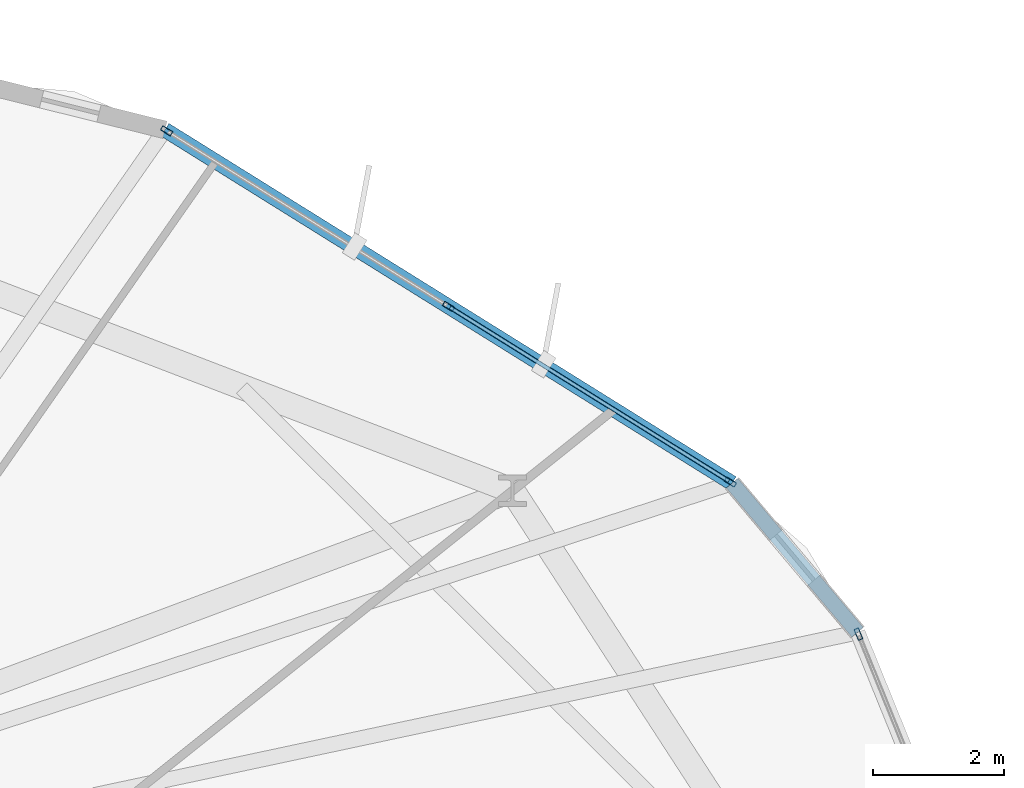
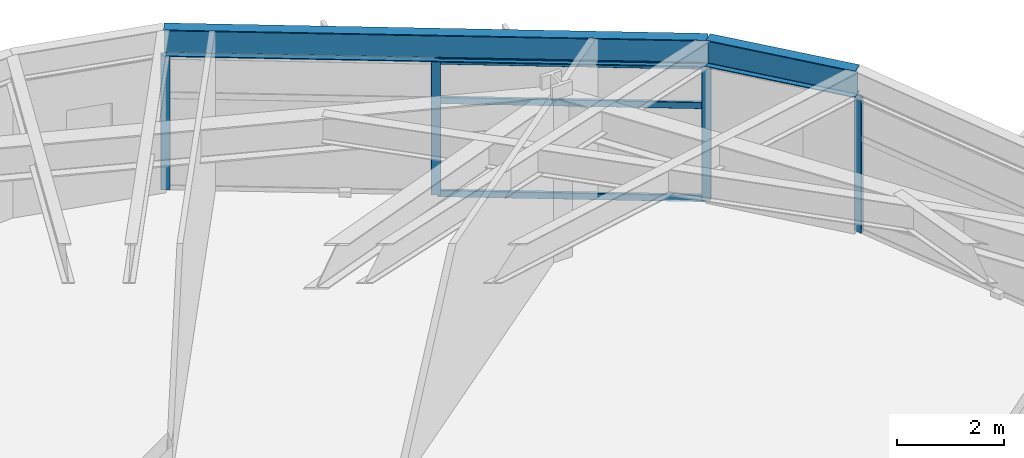
# One storey, part 14 of 22: 7 members, 2 beams, 2 elements without a shape of their own.
"""IFC4 building model written with IfcOpenShell, lengths in metres."""

from ifc_helpers import new_model, si_unit, direction, frame, origin, origin_2d, place, context, subcontext, project, spatial, hollow_rectangle, i_section, extrude, material, layer, layer_set, material_profile, profile_set, type_object, element, aggregate, save


model = new_model("IFC4")

# Units and contexts
model_context = context("Model", 3, precision=1e-05, world=origin(), true_north=direction((0.0, 1.0)))
body_context = subcontext(model_context, "Body", "Model", "MODEL_VIEW")
ifc_project = project(units=[si_unit("LENGTHUNIT", "METRE"), si_unit("AREAUNIT", "SQUARE_METRE"), si_unit("VOLUMEUNIT", "CUBIC_METRE"), si_unit("PLANEANGLEUNIT", "RADIAN"), si_unit("MASSUNIT", "GRAM", prefix="KILO")], contexts=[model_context])

# Site, building, storey
site_placement = place(None, origin())
site = spatial("IfcSite", under=ifc_project, at=site_placement, CompositionType="ELEMENT")
building_placement = place(site_placement, origin())
building = spatial("IfcBuilding", under=site, at=building_placement, Name="Soratama Intermodal Tower", CompositionType="ELEMENT")
storey_placement = place(building_placement, frame((0.0, 0.0, 42.60009765625)))
storey = spatial("IfcBuildingStorey", under=building, at=storey_placement, Name="L09", CompositionType="ELEMENT", Elevation=42.60009765625)

# Beams
ifc_material_1 = material(Name="Structural steel ASTM A992 Grade 50", Category="steel")
ifc_material_profile_1 = material_profile(ifc_material_1, i_section(OverallWidth=0.22900390625, OverallDepth=0.612060546875, WebThickness=0.011962890625, FlangeThickness=0.01953125, FilletRadius=0.012939453125, at=origin_2d()), Name="W24X84")
ifc_profile_set_1 = profile_set([ifc_material_profile_1], Name="Structural steel ASTM A992 Grade 50")
beam_type = type_object("IfcBeamType", Name="BM-SPN-W24X84", PredefinedType="SPANDREL", material=ifc_profile_set_1)
beam_1_placement = place(storey_placement, frame((62.032958984375, 37.39404296875, 3.393798828125), z_axis=(-0.643803699037, 0.765190693295, 0.0), x_axis=(-0.765190693295, -0.643803699037, 0.0)))
element("IfcBeam", 1, at=beam_1_placement, inside=storey, type_object=beam_type, Name="BS-L09-CRN01", PredefinedType="SPANDREL", context=body_context, shape_type="SweptSolid", body=[
    extrude(i_section(OverallWidth=0.22900390625, OverallDepth=0.612060546875, WebThickness=0.011962890625, FlangeThickness=0.01953125, FilletRadius=0.012939453125, at=origin_2d()), origin(), (0.0, 0.0, 1.0), 2.966552734375),
])
beam_2_placement = place(storey_placement, frame((60.123046875, 39.6640625, 3.393798828125), z_axis=(-0.848769194793, 0.528763514221, 0.0), x_axis=(-0.528763514221, -0.848769194793, 0.0)))
element("IfcBeam", 2, at=beam_2_placement, inside=storey, type_object=beam_type, Name="BS-L09-F02", PredefinedType="SPANDREL", context=body_context, shape_type="SweptSolid", body=[
    extrude(i_section(OverallWidth=0.22900390625, OverallDepth=0.612060546875, WebThickness=0.011962890625, FlangeThickness=0.01953125, FilletRadius=0.012939453125, at=origin_2d()), origin(), (0.0, 0.0, 1.0), 10.165283203125),
])

# Curtain wall, member
ifc_material_2 = material(Name="Double-glazed aluminium curtain wall", Category="aluminium")
ifc_layer = layer(ifc_material_2, 0.159912109375)
ifc_layer_set = layer_set([ifc_layer], Name="Double-glazed aluminium curtain wall")
curtain_wall_type = type_object("IfcCurtainWallType", Name="CW-SYS-2", PredefinedType="NOTDEFINED", material=ifc_layer_set)
curtain_wall_1_placement = place(storey_placement, origin())
curtain_wall_1 = element("IfcCurtainWall", 3, at=curtain_wall_1_placement, inside=storey, type_object=curtain_wall_type, Name="L09 Faceted Curtain Wall F01", PredefinedType="NOTDEFINED")
ifc_material_3 = material(Name="Anodised aluminium AA 6063-T6", Category="aluminium")
ifc_material_profile_2 = material_profile(ifc_material_3, hollow_rectangle(XDim=0.074951171875, YDim=0.179931640625, WallThickness=0.006103515625, InnerFilletRadius=0.006103515625, OuterFilletRadius=0.011962890625, at=origin_2d()), Name="CWM180X75X6")
ifc_profile_set_2 = profile_set([ifc_material_profile_2], Name="Anodised aluminium AA 6063-T6")
member_type_1 = type_object("IfcMemberType", Name="MT-CWM-2", PredefinedType="MULLION", material=ifc_profile_set_2)
member_1_placement = place(storey_placement, frame((62.044189453125, 37.366455078125, 0.0), z_axis=(0.0, 0.0, 1.0), x_axis=(-0.926656948494, -0.375908100215, 0.0)))
member_1 = element("IfcMember", 4, at=member_1_placement, type_object=member_type_1, Name="CW-2 mullion 3", PredefinedType="MULLION", context=body_context, shape_type="SweptSolid", body=[
    extrude(hollow_rectangle(XDim=0.074951171875, YDim=0.179931640625, WallThickness=0.006103515625, InnerFilletRadius=0.006103515625, OuterFilletRadius=0.011962890625, at=origin_2d()), origin(), (0.0, 0.0, 1.0), 3.078857421875),
])
aggregate(curtain_wall_1, [member_1])

# Curtain wall, members
curtain_wall_2_placement = place(storey_placement, origin())
curtain_wall_2 = element("IfcCurtainWall", 5, at=curtain_wall_2_placement, inside=storey, type_object=curtain_wall_type, Name="L09 Faceted Curtain Wall F02", PredefinedType="NOTDEFINED")
member_2_placement = place(storey_placement, frame((60.097412109375, 39.679931640625, 0.0), z_axis=(0.0, 0.0, 1.0), x_axis=(-0.528734733527, -0.848787123819, 0.0)))
member_2 = element("IfcMember", 6, at=member_2_placement, type_object=member_type_1, Name="CW-2 mullion 1", PredefinedType="MULLION", context=body_context, shape_type="SweptSolid", body=[
    extrude(hollow_rectangle(XDim=0.074951171875, YDim=0.179931640625, WallThickness=0.006103515625, InnerFilletRadius=0.006103515625, OuterFilletRadius=0.011962890625, at=origin_2d()), origin(), (0.0, 0.0, 1.0), 3.078857421875),
])
member_3_placement = place(storey_placement, frame((55.808837890625, 42.3515625, 0.0), z_axis=(0.0, 0.0, 1.0), x_axis=(-0.528734733527, -0.848787123819, 0.0)))
member_3 = element("IfcMember", 7, at=member_3_placement, type_object=member_type_1, Name="CW-2 mullion 2", PredefinedType="MULLION", context=body_context, shape_type="SweptSolid", body=[
    extrude(hollow_rectangle(XDim=0.074951171875, YDim=0.179931640625, WallThickness=0.006103515625, InnerFilletRadius=0.006103515625, OuterFilletRadius=0.011962890625, at=origin_2d()), origin(), (0.0, 0.0, 1.0), 3.078857421875),
])
member_4_placement = place(storey_placement, frame((51.520263671875, 45.02294921875, 0.0), z_axis=(0.0, 0.0, 1.0), x_axis=(-0.528734733527, -0.848787123819, 0.0)))
member_4 = element("IfcMember", 8, at=member_4_placement, type_object=member_type_1, Name="CW-2 mullion 3", PredefinedType="MULLION", context=body_context, shape_type="SweptSolid", body=[
    extrude(hollow_rectangle(XDim=0.074951171875, YDim=0.179931640625, WallThickness=0.006103515625, InnerFilletRadius=0.006103515625, OuterFilletRadius=0.011962890625, at=origin_2d()), origin(), (0.0, 0.0, 1.0), 3.078857421875),
])
ifc_material_4 = material(Name="Anodised aluminium AA 6063-T6", Category="aluminium")
ifc_material_profile_3 = material_profile(ifc_material_4, hollow_rectangle(XDim=0.06494140625, YDim=0.14990234375, WallThickness=0.0048828125, InnerFilletRadius=0.0048828125, OuterFilletRadius=0.010009765625, at=origin_2d()), Name="CWT150X65X5")
ifc_profile_set_3 = profile_set([ifc_material_profile_3], Name="Anodised aluminium AA 6063-T6")
member_type_2 = type_object("IfcMemberType", Name="TT-CWT-1", PredefinedType="USERDEFINED", material=ifc_profile_set_3)
member_5_placement = place(storey_placement, frame((60.07177734375, 39.69580078125, 0.02978515625), z_axis=(-0.848769376128, 0.528763223142, 0.0), x_axis=(-0.528763223142, -0.848769376128, 0.0)))
member_5 = element("IfcMember", 9, at=member_5_placement, type_object=member_type_2, Name="CW-2 transom 1.1", ObjectType="TRANSOM", PredefinedType="USERDEFINED", context=body_context, shape_type="SweptSolid", body=[
    extrude(hollow_rectangle(XDim=0.06494140625, YDim=0.14990234375, WallThickness=0.0048828125, InnerFilletRadius=0.0048828125, OuterFilletRadius=0.010009765625, at=origin_2d()), origin(), (0.0, 0.0, 1.0), 4.99267578125),
])
member_6_placement = place(storey_placement, frame((60.07177734375, 39.69580078125, 2.14990234375), z_axis=(-0.848769376128, 0.528763223142, 0.0), x_axis=(-0.528763223142, -0.848769376128, 0.0)))
member_6 = element("IfcMember", 10, at=member_6_placement, type_object=member_type_2, Name="CW-2 transom 1.2", ObjectType="TRANSOM", PredefinedType="USERDEFINED", context=body_context, shape_type="SweptSolid", body=[
    extrude(hollow_rectangle(XDim=0.06494140625, YDim=0.14990234375, WallThickness=0.0048828125, InnerFilletRadius=0.0048828125, OuterFilletRadius=0.010009765625, at=origin_2d()), origin(), (0.0, 0.0, 1.0), 4.99267578125),
])
member_7_placement = place(storey_placement, frame((60.07177734375, 39.69580078125, 3.048828125), z_axis=(-0.848769376128, 0.528763223142, 0.0), x_axis=(-0.528763223142, -0.848769376128, 0.0)))
member_7 = element("IfcMember", 11, at=member_7_placement, type_object=member_type_2, Name="CW-2 transom 1.3", ObjectType="TRANSOM", PredefinedType="USERDEFINED", context=body_context, shape_type="SweptSolid", body=[
    extrude(hollow_rectangle(XDim=0.06494140625, YDim=0.14990234375, WallThickness=0.0048828125, InnerFilletRadius=0.0048828125, OuterFilletRadius=0.010009765625, at=origin_2d()), origin(), (0.0, 0.0, 1.0), 4.99267578125),
])
aggregate(curtain_wall_2, [member_2, member_3, member_4, member_5, member_6, member_7])

save(model, "model.ifc")
